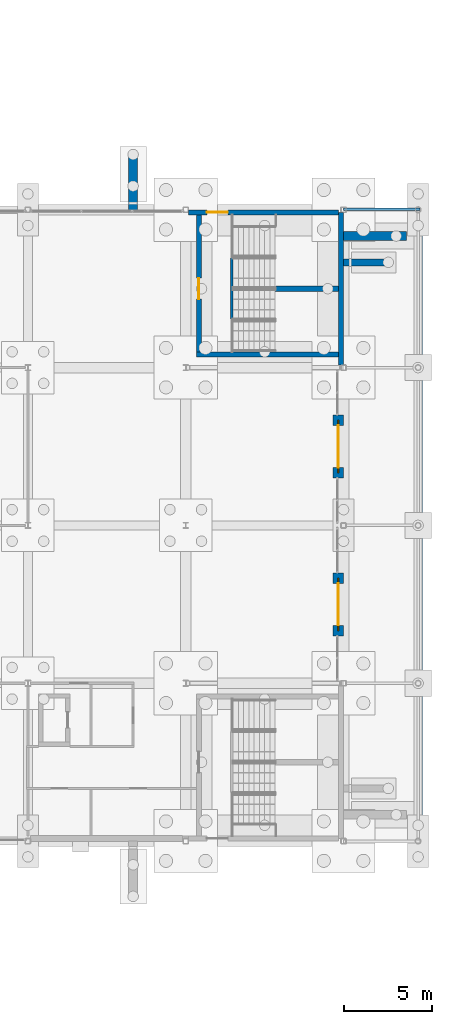
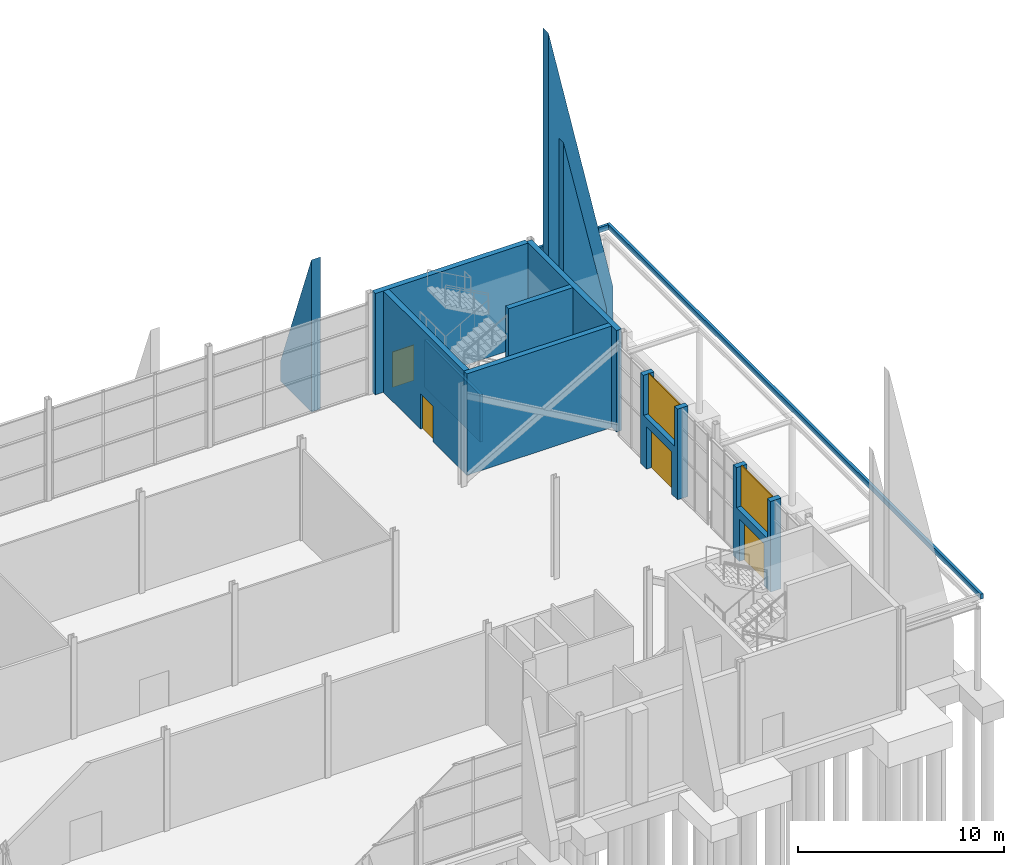
# One storey, part 113 of 139: 13 walls, 4 doors, 2 windows, 6 openings.
"""IFC4 building model written with IfcOpenShell, lengths in metres."""

from ifc_helpers import new_model, si_unit, direction, frame, frame_2d, origin, place, context, subcontext, project, spatial, polyline, rectangle, outline, extrude, material, layer, layer_set, type_object, element, fill, save


model = new_model("IFC4")

# Units and contexts
model_context = context("Model", 3, precision=1e-05, world=origin(), true_north=direction((0.0, 1.0)))
body_context = subcontext(model_context, "Body", "Model", "MODEL_VIEW")
ifc_project = project(units=[si_unit("LENGTHUNIT", "METRE"), si_unit("AREAUNIT", "SQUARE_METRE"), si_unit("VOLUMEUNIT", "CUBIC_METRE"), si_unit("PLANEANGLEUNIT", "RADIAN"), si_unit("MASSUNIT", "GRAM", prefix="KILO")], contexts=[model_context])

# Site, building, storey
site_placement = place(None, origin())
site = spatial("IfcSite", under=ifc_project, at=site_placement, CompositionType="ELEMENT")
building_placement = place(site_placement, origin())
building = spatial("IfcBuilding", under=site, at=building_placement, Name="Shorebreak Coast Museum", CompositionType="ELEMENT")
storey_placement = place(building_placement, origin())
storey = spatial("IfcBuildingStorey", under=building, at=storey_placement, Name="L00", CompositionType="ELEMENT", Elevation=0.0)

# Walls
ifc_material_1 = material(Name="Concrete N50 (50 MPa)", Category="concrete")
ifc_layer_1 = layer(ifc_material_1, 0.14990234375)
ifc_layer_set_1 = layer_set([ifc_layer_1], Name="Concrete N50 (50 MPa)")
wall_type_1 = type_object("IfcWallType", Name="Arcade roof upstand 150", PredefinedType="PARAPET", material=ifc_layer_set_1)
wall_1_placement = place(storey_placement, frame((175.425048828125, 53.89990234375, 5.0), z_axis=(0.0, 0.0, 1.0), x_axis=(0.0, 1.0, 0.0)))
element("IfcWall", 1, at=wall_1_placement, inside=storey, type_object=wall_type_1, Name="Arcade roof upstand east 1", PredefinedType="PARAPET", context=body_context, shape_type="SweptSolid", body=[
    extrude(rectangle(XDim=36.2001953125, YDim=0.14990234375, at=frame_2d((18.10009765625, 0.0))), origin(), (0.0, 0.0, 1.0), 0.300048828125),
])
wall_2_placement = place(storey_placement, frame((171.0, 90.02490234375, 5.0), z_axis=(0.0, 0.0, 1.0), x_axis=(1.0, 0.0, 0.0)))
element("IfcWall", 2, at=wall_2_placement, inside=storey, type_object=wall_type_1, Name="Arcade roof upstand east 1 end 2", PredefinedType="PARAPET", context=body_context, shape_type="SweptSolid", body=[
    extrude(rectangle(XDim=4.35009765625, YDim=0.14990234375, at=frame_2d((2.175048828125, 0.0))), origin(), (0.0, 0.0, 1.0), 0.300048828125),
])

# Wall, openings, door, window
ifc_material_2 = material(Name="Concrete N50 (50 MPa)", Category="concrete")
ifc_layer_2 = layer(ifc_material_2, 0.60009765625)
ifc_layer_set_2 = layer_set([ifc_layer_2], Name="Concrete N50 (50 MPa)")
wall_type_2 = type_object("IfcWallType", Name="Entrance portal panel 600", PredefinedType="SOLIDWALL", material=ifc_layer_set_2)
wall_3_placement = place(storey_placement, frame((170.699951171875, 65.699951171875, 0.0), z_axis=(0.0, 0.0, 1.0), x_axis=(0.0, 1.0, 0.0)))
wall_3 = element("IfcWall", 3, at=wall_3_placement, inside=storey, type_object=wall_type_2, Name="Entrance portal ENT-E", PredefinedType="SOLIDWALL", context=body_context, shape_type="SweptSolid", body=[
    extrude(rectangle(XDim=3.60009765625, YDim=0.60009765625, at=frame_2d((1.800048828125, 0.0))), origin(), (0.0, 0.0, 1.0), 5.364501953125),
])
opening_1_placement = place(wall_3_placement, frame((0.60009765625, 0.0, 0.0)))
opening_1 = element("IfcOpeningElement", 4, at=opening_1_placement, cuts=wall_3, Name="Opening D0912", PredefinedType="OPENING", context=body_context, shape_type="SweptSolid", body=[
    extrude(rectangle(XDim=2.39990234375, YDim=2.5, at=frame_2d((1.199951171875, 1.25))), frame((0.0, 0.31005859375, 0.0), z_axis=(0.0, -1.0, 0.0), x_axis=(1.0, 0.0, 0.0)), (0.0, 0.0, 1.0), 0.6201171875),
])
opening_2_placement = place(wall_3_placement, frame((0.300048828125, 0.0, 3.0)))
opening_2 = element("IfcOpeningElement", 5, at=opening_2_placement, cuts=wall_3, Name="Opening WN0018", PredefinedType="OPENING", context=body_context, shape_type="SweptSolid", body=[
    extrude(rectangle(XDim=3.0, YDim=2.39990234375, at=frame_2d((1.5, 1.199951171875))), frame((0.0, 0.31005859375, 0.0), z_axis=(0.0, -1.0, 0.0), x_axis=(1.0, 0.0, 0.0)), (0.0, 0.0, 1.0), 0.6201171875),
])
ifc_material_3 = material(Name="Aluminium", Category="aluminium")
door_type_1 = type_object("IfcDoorType", Name="Entrance automatic sliding pair 2400 x 2500", OperationType="DOUBLE_DOOR_SLIDING", PredefinedType="DOOR", material=ifc_material_3)
door_1_placement = place(opening_1_placement, frame((2.39990234375, 0.0, 0.0), z_axis=(0.0, 0.0, 1.0), x_axis=(-1.0, 0.0, 0.0)))
door_1 = element("IfcDoor", 6, at=door_1_placement, inside=storey, type_object=door_type_1, Name="Main entrance ENT-E D0912", OperationType="DOUBLE_DOOR_SLIDING", OverallHeight=2.5, OverallWidth=2.39990234375, PredefinedType="DOOR", context=body_context, shape_type="SweptSolid", body=[
    extrude(rectangle(XDim=2.39990234375, YDim=2.5, at=frame_2d((1.199951171875, 1.25))), frame((0.0, 0.02490234375, 0.0), z_axis=(0.0, -1.0, 0.0), x_axis=(1.0, 0.0, 0.0)), (0.0, 0.0, 1.0), 0.050048828125),
])
fill(opening_1, door_1)
ifc_material_4 = material(Name="Aluminium", Category="aluminium")
window_type = type_object("IfcWindowType", Name="Entrance transom light 3000 x 2400", PartitioningType="SINGLE_PANEL", PredefinedType="WINDOW", material=ifc_material_4)
window_1_placement = place(opening_2_placement, origin())
window_1 = element("IfcWindow", 7, at=window_1_placement, inside=storey, type_object=window_type, Name="Window WN0018", OverallHeight=2.39990234375, OverallWidth=3.0, PartitioningType="SINGLE_PANEL", PredefinedType="WINDOW", context=body_context, shape_type="SweptSolid", body=[
    extrude(rectangle(XDim=3.0, YDim=2.39990234375, at=frame_2d((1.5, 1.199951171875))), frame((0.0, 0.030029296875, 0.0), z_axis=(0.0, -1.0, 0.0), x_axis=(1.0, 0.0, 0.0)), (0.0, 0.0, 1.0), 0.06005859375),
])
fill(opening_2, window_1)

wall_4_placement = place(storey_placement, frame((170.699951171875, 74.699951171875, 0.0), z_axis=(0.0, 0.0, 1.0), x_axis=(0.0, 1.0, 0.0)))
wall_4 = element("IfcWall", 8, at=wall_4_placement, inside=storey, type_object=wall_type_2, Name="Entrance portal ENT-E", PredefinedType="SOLIDWALL", context=body_context, shape_type="SweptSolid", body=[
    extrude(rectangle(XDim=3.60009765625, YDim=0.60009765625, at=frame_2d((1.800048828125, 0.0))), origin(), (0.0, 0.0, 1.0), 5.364501953125),
])
opening_3_placement = place(wall_4_placement, frame((0.60009765625, 0.0, 0.0)))
opening_3 = element("IfcOpeningElement", 9, at=opening_3_placement, cuts=wall_4, Name="Opening D0913", PredefinedType="OPENING", context=body_context, shape_type="SweptSolid", body=[
    extrude(rectangle(XDim=2.39990234375, YDim=2.5, at=frame_2d((1.199951171875, 1.25))), frame((0.0, 0.31005859375, 0.0), z_axis=(0.0, -1.0, 0.0), x_axis=(1.0, 0.0, 0.0)), (0.0, 0.0, 1.0), 0.6201171875),
])
opening_4_placement = place(wall_4_placement, frame((0.300048828125, 0.0, 3.0)))
opening_4 = element("IfcOpeningElement", 10, at=opening_4_placement, cuts=wall_4, Name="Opening WN0019", PredefinedType="OPENING", context=body_context, shape_type="SweptSolid", body=[
    extrude(rectangle(XDim=3.0, YDim=2.39990234375, at=frame_2d((1.5, 1.199951171875))), frame((0.0, 0.31005859375, 0.0), z_axis=(0.0, -1.0, 0.0), x_axis=(1.0, 0.0, 0.0)), (0.0, 0.0, 1.0), 0.6201171875),
])
door_2_placement = place(opening_3_placement, frame((2.39990234375, 0.0, 0.0), z_axis=(0.0, 0.0, 1.0), x_axis=(-1.0, 0.0, 0.0)))
door_2 = element("IfcDoor", 11, at=door_2_placement, inside=storey, type_object=door_type_1, Name="Main entrance ENT-E D0913", OperationType="DOUBLE_DOOR_SLIDING", OverallHeight=2.5, OverallWidth=2.39990234375, PredefinedType="DOOR", context=body_context, shape_type="SweptSolid", body=[
    extrude(rectangle(XDim=2.39990234375, YDim=2.5, at=frame_2d((1.199951171875, 1.25))), frame((0.0, 0.02490234375, 0.0), z_axis=(0.0, -1.0, 0.0), x_axis=(1.0, 0.0, 0.0)), (0.0, 0.0, 1.0), 0.050048828125),
])
fill(opening_3, door_2)
window_2_placement = place(opening_4_placement, origin())
window_2 = element("IfcWindow", 12, at=window_2_placement, inside=storey, type_object=window_type, Name="Window WN0019", OverallHeight=2.39990234375, OverallWidth=3.0, PartitioningType="SINGLE_PANEL", PredefinedType="WINDOW", context=body_context, shape_type="SweptSolid", body=[
    extrude(rectangle(XDim=3.0, YDim=2.39990234375, at=frame_2d((1.5, 1.199951171875))), frame((0.0, 0.030029296875, 0.0), z_axis=(0.0, -1.0, 0.0), x_axis=(1.0, 0.0, 0.0)), (0.0, 0.0, 1.0), 0.06005859375),
])
fill(opening_4, window_2)

# Wall
ifc_material_5 = material(Name="Concrete N50 (50 MPa)", Category="concrete")
ifc_layer_3 = layer(ifc_material_5, 0.300048828125)
ifc_layer_set_3 = layer_set([ifc_layer_3], Name="Concrete N50 (50 MPa)")
wall_type_3 = type_object("IfcWallType", Name="RC wall 300", PredefinedType="SHEAR", material=ifc_layer_set_3)
wall_5_placement = place(storey_placement, frame((162.60009765625, 81.75, 0.0), z_axis=(0.0, 0.0, 1.0), x_axis=(1.0, 0.0, 0.0)))
element("IfcWall", 13, at=wall_5_placement, inside=storey, type_object=wall_type_3, Name="Stair core wall ST08 L00 S", PredefinedType="SHEAR", context=body_context, shape_type="SweptSolid", body=[
    extrude(rectangle(XDim=8.099853515625, YDim=0.300048828125, at=frame_2d((4.0498046875, 0.0))), origin(), (0.0, 0.0, 1.0), 6.0),
])

# Wall, opening, door
wall_6_placement = place(storey_placement, frame((162.14990234375, 89.85009765625, 0.0), z_axis=(0.0, 0.0, 1.0), x_axis=(1.0, 0.0, 0.0)))
wall_6 = element("IfcWall", 14, at=wall_6_placement, inside=storey, type_object=wall_type_3, Name="Stair core wall ST08 L00 N", PredefinedType="SHEAR", context=body_context, shape_type="SweptSolid", body=[
    extrude(rectangle(XDim=8.550048828125, YDim=0.300048828125, at=frame_2d((4.27490234375, 0.0))), origin(), (0.0, 0.0, 1.0), 6.0),
])
opening_5_placement = place(wall_6_placement, frame((1.050048828125, 0.0, 0.0)))
opening_5 = element("IfcOpeningElement", 15, at=opening_5_placement, cuts=wall_6, Name="Opening D0708", PredefinedType="OPENING", context=body_context, shape_type="SweptSolid", body=[
    extrude(rectangle(XDim=1.199951171875, YDim=2.10009765625, at=frame_2d((0.60009765625, 1.050048828125))), frame((0.0, 0.159912109375, 0.0), z_axis=(0.0, -1.0, 0.0), x_axis=(1.0, 0.0, 0.0)), (0.0, 0.0, 1.0), 0.320068359375),
])
ifc_material_6 = material(Name="Steel Grade 300", Category="steel")
door_type_2 = type_object("IfcDoorType", Name="Exit door 1200x2100", OperationType="SINGLE_SWING_LEFT", PredefinedType="DOOR", material=ifc_material_6)
door_3_placement = place(opening_5_placement, origin())
door_3 = element("IfcDoor", 16, at=door_3_placement, inside=storey, type_object=door_type_2, Name="Exit door ST08", OperationType="SINGLE_SWING_RIGHT", OverallHeight=2.10009765625, OverallWidth=1.199951171875, PredefinedType="DOOR", context=body_context, shape_type="SweptSolid", body=[
    extrude(rectangle(XDim=1.199951171875, YDim=2.10009765625, at=frame_2d((0.60009765625, 1.050048828125))), frame((0.0, 0.02490234375, 0.0), z_axis=(0.0, -1.0, 0.0), x_axis=(1.0, 0.0, 0.0)), (0.0, 0.0, 1.0), 0.050048828125),
])
fill(opening_5, door_3)

wall_7_placement = place(storey_placement, frame((162.75, 81.89990234375, 0.0), z_axis=(0.0, 0.0, 1.0), x_axis=(0.0, 1.0, 0.0)))
wall_7 = element("IfcWall", 17, at=wall_7_placement, inside=storey, type_object=wall_type_3, Name="Stair core wall ST08 L00 W", PredefinedType="SHEAR", context=body_context, shape_type="SweptSolid", body=[
    extrude(rectangle(XDim=7.800048828125, YDim=0.300048828125, at=frame_2d((3.89990234375, 0.0))), origin(), (0.0, 0.0, 1.0), 6.0),
])
opening_6_placement = place(wall_7_placement, frame((3.0, 0.0, 0.0)))
opening_6 = element("IfcOpeningElement", 18, at=opening_6_placement, cuts=wall_7, Name="Opening D0808", PredefinedType="OPENING", context=body_context, shape_type="SweptSolid", body=[
    extrude(rectangle(XDim=1.199951171875, YDim=2.10009765625, at=frame_2d((0.60009765625, 1.050048828125))), frame((0.0, 0.159912109375, 0.0), z_axis=(0.0, -1.0, 0.0), x_axis=(1.0, 0.0, 0.0)), (0.0, 0.0, 1.0), 0.320068359375),
])
ifc_material_7 = material(Name="Steel Grade 300", Category="steel")
door_type_3 = type_object("IfcDoorType", Name="Fire door 1200x2100", OperationType="SINGLE_SWING_LEFT", PredefinedType="DOOR", material=ifc_material_7)
door_4_placement = place(opening_6_placement, origin())
door_4 = element("IfcDoor", 19, at=door_4_placement, inside=storey, type_object=door_type_3, Name="Stair door ST08 L00", OperationType="SINGLE_SWING_LEFT", OverallHeight=2.10009765625, OverallWidth=1.199951171875, PredefinedType="DOOR", context=body_context, shape_type="SweptSolid", body=[
    extrude(rectangle(XDim=1.199951171875, YDim=2.10009765625, at=frame_2d((0.60009765625, 1.050048828125))), frame((0.0, 0.02490234375, 0.0), z_axis=(0.0, -1.0, 0.0), x_axis=(1.0, 0.0, 0.0)), (0.0, 0.0, 1.0), 0.050048828125),
])
fill(opening_6, door_4)

# Walls
wall_8_placement = place(storey_placement, frame((170.85009765625, 81.14990234375, 0.0), z_axis=(0.0, 0.0, 1.0), x_axis=(0.0, 1.0, 0.0)))
element("IfcWall", 20, at=wall_8_placement, inside=storey, type_object=wall_type_3, Name="Stair core wall ST08 L00 E", PredefinedType="SHEAR", context=body_context, shape_type="SweptSolid", body=[
    extrude(rectangle(XDim=8.7001953125, YDim=0.300048828125, at=frame_2d((4.35009765625, 0.0))), origin(), (0.0, 0.0, 1.0), 6.0),
])
wall_9_placement = place(storey_placement, frame((167.10009765625, 85.5, 0.0), z_axis=(0.0, 0.0, 1.0), x_axis=(1.0, 0.0, 0.0)))
element("IfcWall", 21, at=wall_9_placement, inside=storey, type_object=wall_type_3, Name="Stair spine wall ST08 L00", PredefinedType="SHEAR", context=body_context, shape_type="SweptSolid", body=[
    extrude(rectangle(XDim=3.599853515625, YDim=0.300048828125, at=frame_2d((1.7998046875, 0.0))), origin(), (0.0, 0.0, 1.0), 6.0),
])
ifc_material_8 = material(Name="Concrete N50 (50 MPa)", Category="concrete")
ifc_layer_4 = layer(ifc_material_8, 0.39990234375)
ifc_layer_set_4 = layer_set([ifc_layer_4], Name="Concrete N50 (50 MPa)")
wall_type_4 = type_object("IfcWallType", Name="Raked fin 400", PredefinedType="SOLIDWALL", material=ifc_layer_set_4)
wall_10_placement = place(storey_placement, frame((171.0, 87.0, 0.0), z_axis=(0.0, 0.0, 1.0), x_axis=(1.0, 0.0, 0.0)))
element("IfcWall", 22, at=wall_10_placement, inside=storey, type_object=wall_type_4, Name="Raked fin E07", PredefinedType="SOLIDWALL", context=body_context, shape_type="SweptSolid", body=[
    extrude(outline(polyline([(0.0, 0.0), (2.39990234375, 0.0), (2.39990234375, 3.0), (0.0, 13.60009765625), (0.0, 0.0)])), frame((0.0, 0.199951171875, 0.0), z_axis=(0.0, -1.0, 0.0), x_axis=(1.0, 0.0, 0.0)), (0.0, 0.0, 1.0), 0.39990234375),
])
ifc_material_9 = material(Name="Concrete N50 (50 MPa)", Category="concrete")
ifc_layer_5 = layer(ifc_material_9, 0.5)
ifc_layer_set_5 = layer_set([ifc_layer_5], Name="Concrete N50 (50 MPa)")
wall_type_5 = type_object("IfcWallType", Name="Raked fin 500", PredefinedType="SOLIDWALL", material=ifc_layer_set_5)
wall_11_placement = place(storey_placement, frame((171.0, 88.5, 0.0), z_axis=(0.0, 0.0, 1.0), x_axis=(1.0, 0.0, 0.0)))
element("IfcWall", 23, at=wall_11_placement, inside=storey, type_object=wall_type_5, Name="Raked fin E08", PredefinedType="SOLIDWALL", context=body_context, shape_type="SweptSolid", body=[
    extrude(outline(polyline([(0.0, 0.0), (3.60009765625, 0.0), (3.60009765625, 3.0), (0.0, 19.199951171875), (0.0, 0.0)])), frame((0.0, 0.25, 0.0), z_axis=(0.0, -1.0, 0.0), x_axis=(1.0, 0.0, 0.0)), (0.0, 0.0, 1.0), 0.5),
])
wall_12_placement = place(storey_placement, frame((159.0, 90.0, 0.0), z_axis=(0.0, 0.0, 1.0), x_axis=(0.0, 1.0, 0.0)))
element("IfcWall", 24, at=wall_12_placement, inside=storey, type_object=wall_type_5, Name="Raked fin EN19", PredefinedType="SOLIDWALL", context=body_context, shape_type="SweptSolid", body=[
    extrude(outline(polyline([(0.0, 0.0), (3.0, 0.0), (3.0, 1.199951171875), (0.0, 9.0), (0.0, 0.0)])), frame((0.0, 0.25, 0.0), z_axis=(0.0, -1.0, 0.0), x_axis=(1.0, 0.0, 0.0)), (0.0, 0.0, 1.0), 0.5),
])
ifc_material_10 = material(Name="Concrete N50 (50 MPa)", Category="concrete")
ifc_layer_6 = layer(ifc_material_10, 0.14990234375)
ifc_layer_set_6 = layer_set([ifc_layer_6], Name="Concrete N50 (50 MPa)")
wall_type_6 = type_object("IfcWallType", Name="Understair wall 150", PredefinedType="STANDARD", material=ifc_layer_set_6)
wall_13_placement = place(storey_placement, frame((164.625, 83.699951171875, 0.0), z_axis=(0.0, 0.0, 1.0), x_axis=(0.0, 1.0, 0.0)))
element("IfcWall", 25, at=wall_13_placement, inside=storey, type_object=wall_type_6, Name="Understair wall ST08 L00 floor", PredefinedType="STANDARD", context=body_context, shape_type="SweptSolid", body=[
    extrude(rectangle(XDim=5.400146484375, YDim=0.14990234375, at=frame_2d((2.7001953125, 0.0))), origin(), (0.0, 0.0, 1.0), 2.800048828125),
])

save(model, "model.ifc")
